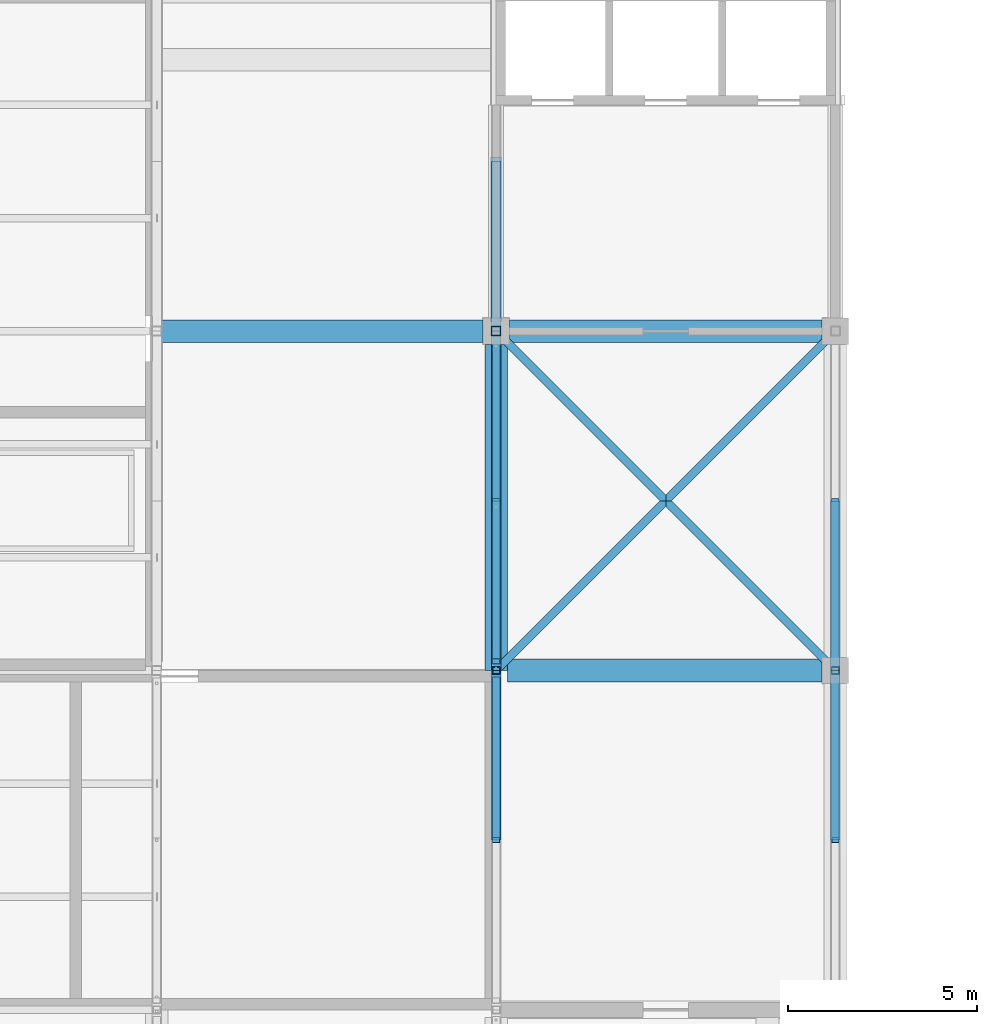
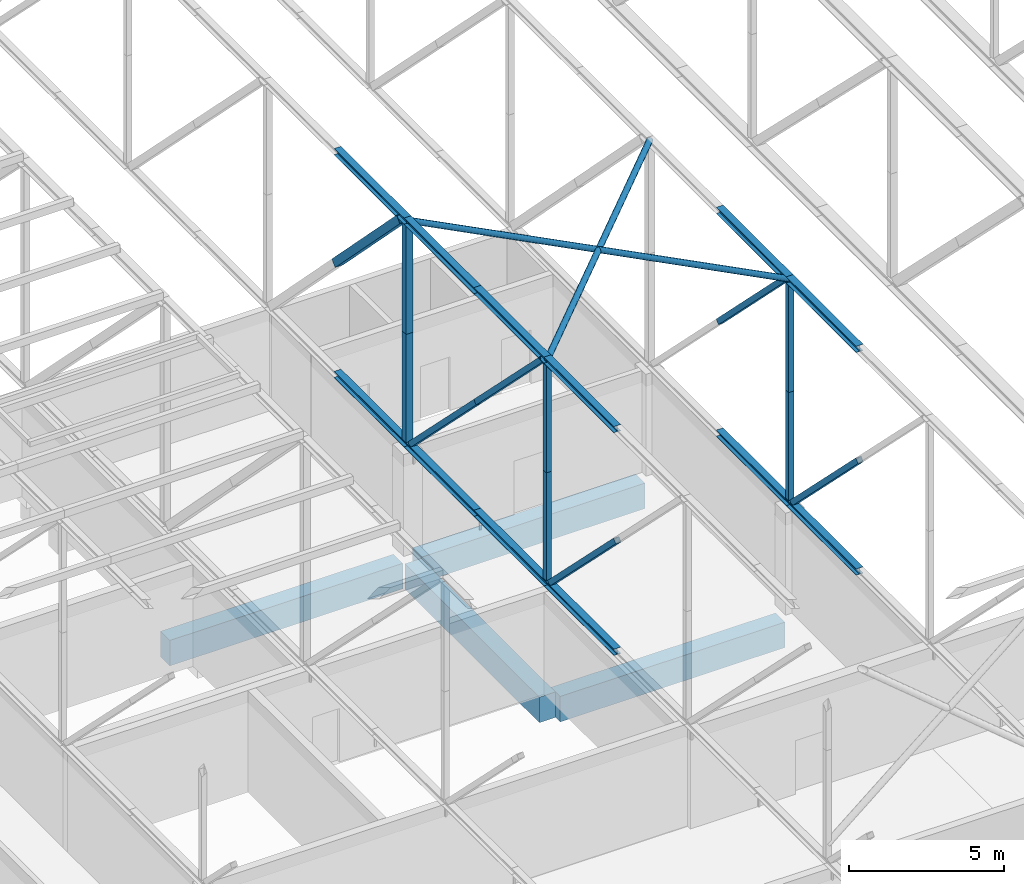
# One storey, part 28 of 646: 28 members, 4 beams.
"""IFC4 building model written with IfcOpenShell, lengths in metres."""

import ifcopenshell
import ifcopenshell.guid

model = None  # the IFC model being written
_history = None  # IfcOwnerHistory: only IFC2X3 demands one
_inside = {}  # id of a spatial element -> (the spatial element, [elements in it])
_under = {}  # id of a project, library or spatial element -> (it, [spatial elements below it])
_declared = {}  # id of a project -> (the project, [libraries it declares])
_typed = {}  # id of a type object -> (the type object, [elements of that type])
_made_of = {}  # id of a material, layer set ... -> (it, [elements and type objects made of it])


def new_model(schema):
    """Start an empty IFC model of exactly this schema.

    Asked for "IFC4X3", IfcOpenShell would pick the latest addendum, in which some entities
    have other attributes; the version numbers below select the first issue.
    IFC2X3 requires an IfcOwnerHistory on every rooted entity: one is made here for all.
    """
    global model, _history
    if schema == "IFC4X3":
        model = ifcopenshell.file(schema_version=(4, 3, 0, 0))
    else:
        model = ifcopenshell.file(schema=schema)
    _inside.clear()
    _under.clear()
    _declared.clear()
    _typed.clear()
    _made_of.clear()
    _history = None
    if model.schema == "IFC2X3":
        org = make("IfcOrganization", Name="unknown")
        user = make(
            "IfcPersonAndOrganization",
            ThePerson=make("IfcPerson", FamilyName="unknown"),
            TheOrganization=org,
        )
        app = make(
            "IfcApplication",
            ApplicationDeveloper=org,
            Version="unknown",
            ApplicationFullName="unknown",
            ApplicationIdentifier="unknown",
        )
        _history = make(
            "IfcOwnerHistory",
            OwningUser=user,
            OwningApplication=app,
            ChangeAction="ADDED",
            CreationDate=0,
        )
    return model


def make(cls, **values):
    """One entity of the class cls with the attributes given. An attribute that is None is left unset."""
    return model.create_entity(
        cls, **{name: value for name, value in values.items() if value is not None}
    )


def rooted(cls, **values):
    """An entity with a GlobalId (a new one), such as an element, a storey or a relation."""
    return make(cls, GlobalId=ifcopenshell.guid.new(), OwnerHistory=_history, **values)


def si_unit(unit_type, name, prefix=None):
    """IfcSIUnit, for example si_unit("LENGTHUNIT", "METRE", prefix="MILLI")."""
    return make("IfcSIUnit", UnitType=unit_type, Prefix=prefix, Name=name)


def assignment(units):
    """IfcUnitAssignment: the units of a project."""
    return None if units is None else make("IfcUnitAssignment", Units=units)


def point(xyz):
    """IfcCartesianPoint."""
    return None if xyz is None else make("IfcCartesianPoint", Coordinates=xyz)


def direction(xyz):
    """IfcDirection."""
    return None if xyz is None else make("IfcDirection", DirectionRatios=xyz)


def frame(location, z_axis=None, x_axis=None):
    """IfcAxis2Placement3D, a coordinate frame: its origin and axes. An axis left out is left unset."""
    return make(
        "IfcAxis2Placement3D",
        Location=point(location),
        Axis=direction(z_axis),
        RefDirection=direction(x_axis),
    )


def frame_2d(location, x_axis=None):
    """IfcAxis2Placement2D, a coordinate frame in the plane: its origin and x axis."""
    return make(
        "IfcAxis2Placement2D", Location=point(location), RefDirection=direction(x_axis)
    )


def origin():
    """The frame at (0, 0, 0) with its axes left unset."""
    return frame((0.0, 0.0, 0.0))


def origin_2d():
    """The frame at (0, 0) in the plane with its x axis left unset."""
    return frame_2d((0.0, 0.0))


def place(relative_to, where):
    """IfcLocalPlacement: puts the frame where relative to a parent placement (None: the world)."""
    return make(
        "IfcLocalPlacement", PlacementRelTo=relative_to, RelativePlacement=where
    )


def context(
    kind, dimensions, precision=None, world=None, true_north=None, identifier=None
):
    """IfcGeometricRepresentationContext, for example the 3D "Model" context."""
    return make(
        "IfcGeometricRepresentationContext",
        ContextIdentifier=identifier,
        ContextType=kind,
        CoordinateSpaceDimension=dimensions,
        Precision=precision,
        WorldCoordinateSystem=world,
        TrueNorth=true_north,
    )


def subcontext(parent, identifier, kind, view, scale=None):
    """IfcGeometricRepresentationSubContext, for example "Body" below "Model"."""
    return make(
        "IfcGeometricRepresentationSubContext",
        ContextIdentifier=identifier,
        ContextType=kind,
        ParentContext=parent,
        TargetScale=scale,
        TargetView=view,
    )


def project(units=None, contexts=None):
    """IfcProject with its units and contexts."""
    return rooted(
        "IfcProject",
        Name="project",
        RepresentationContexts=contexts,
        UnitsInContext=assignment(units),
    )


def spatial(cls, under=None, at=None, **own):
    """A site, building, storey or space (cls), placed at a placement, below another one or the project."""
    s = rooted(cls, ObjectPlacement=at, **own)
    if under is not None:
        _under.setdefault(under.id(), (under, []))[1].append(s)
    return s


def profile(cls, at=None, kind="AREA", **sizes):
    """A parametric profile (cls). Its sizes go by their IFC names, for example OverallWidth=200.0."""
    return make(cls, ProfileType=kind, Position=at, **sizes)


def rectangle(**sizes):
    """IfcRectangleProfileDef."""
    return profile("IfcRectangleProfileDef", **sizes)


def hollow_rectangle(**sizes):
    """IfcRectangleHollowProfileDef."""
    return profile("IfcRectangleHollowProfileDef", **sizes)


def hollow_circle(**sizes):
    """IfcCircleHollowProfileDef."""
    return profile("IfcCircleHollowProfileDef", **sizes)


def i_section(**sizes):
    """IfcIShapeProfileDef."""
    return profile("IfcIShapeProfileDef", **sizes)


def extrude(swept, where, along, depth):
    """IfcExtrudedAreaSolid: the profile swept, set in the frame where, extruded along a direction by depth."""
    return make(
        "IfcExtrudedAreaSolid",
        SweptArea=swept,
        Position=where,
        ExtrudedDirection=direction(along),
        Depth=depth,
    )


def shape(context_of_items, identifier, shape_type, items):
    """IfcShapeRepresentation: the items that make up one representation, for example the "Body"."""
    return make(
        "IfcShapeRepresentation",
        ContextOfItems=context_of_items,
        RepresentationIdentifier=identifier,
        RepresentationType=shape_type,
        Items=items,
    )


def material(Name=None, Category=None):
    """IfcMaterial."""
    return make("IfcMaterial", Name=Name, Category=Category)


def material_profile(
    of_material, cross_section, Name=None, Category=None, Priority=None
):
    """IfcMaterialProfile: a cross section and its material."""
    return make(
        "IfcMaterialProfile",
        Name=Name,
        Material=of_material,
        Profile=cross_section,
        Priority=Priority,
        Category=Category,
    )


def profile_set(profiles, Name=None, composite=None):
    """IfcMaterialProfileSet."""
    return make(
        "IfcMaterialProfileSet",
        Name=Name,
        MaterialProfiles=profiles,
        CompositeProfile=composite,
    )


def made_of(thing, what):
    """Note that an element or type object is made of a material, layer set ...; save() writes the relation."""
    if what is not None:
        _made_of.setdefault(what.id(), (what, []))[1].append(thing)
    return thing


def type_object(cls, material=None, **own):
    """A type object (cls), such as IfcWallType, which elements share."""
    return made_of(rooted(cls, **own), material)


def element(
    cls,
    number,
    at=None,
    inside=None,
    cuts=None,
    type_object=None,
    material=None,
    context=None,
    identifier="Body",
    shape_type=None,
    held_by="IfcProductDefinitionShape",
    body=None,
    shapes=None,
    **own,
):
    """One element of the class cls, such as IfcWall. Its Tag is "e" and its number.

    at: its placement. inside: the storey or other place that contains it. cuts: it is an
    opening in that element (IfcRelVoidsElement). A single representation is given by context,
    identifier, shape_type and body (its items); several are given by shapes. held_by: the class
    of the entity that holds the representations. save() writes the other relations.
    """
    e = rooted(cls, Tag="e%d" % number, ObjectPlacement=at, **own)
    if body is not None:
        shapes = [shape(context, identifier, shape_type, body)]
    if shapes is not None:
        e.Representation = make(held_by, Representations=shapes)
    if inside is not None:
        _inside.setdefault(inside.id(), (inside, []))[1].append(e)
    if cuts is not None:
        rooted(
            "IfcRelVoidsElement", RelatingBuildingElement=cuts, RelatedOpeningElement=e
        )
    if type_object is not None:
        _typed.setdefault(type_object.id(), (type_object, []))[1].append(e)
    return made_of(e, material)


def aggregate(whole, parts):
    """IfcRelAggregates: a whole, such as a stair, and the parts it consists of."""
    return rooted("IfcRelAggregates", RelatingObject=whole, RelatedObjects=parts)


def save(model, path):
    """Write the relations noted so far, then the file.

    IfcRelAggregates (storeys below a building ...), IfcRelContainedInSpatialStructure (elements
    in a storey), IfcRelDefinesByType, IfcRelAssociatesMaterial and IfcRelDeclares: one each for
    every whole, place, type object, material and project.
    """
    for whole, parts in _under.values():
        aggregate(whole, parts)
    for where, things in _inside.values():
        rooted(
            "IfcRelContainedInSpatialStructure",
            RelatedElements=things,
            RelatingStructure=where,
        )
    for kind, things in _typed.values():
        rooted("IfcRelDefinesByType", RelatedObjects=things, RelatingType=kind)
    for what, things in _made_of.values():
        rooted("IfcRelAssociatesMaterial", RelatedObjects=things, RelatingMaterial=what)
    for by, libraries in _declared.values():
        rooted("IfcRelDeclares", RelatingContext=by, RelatedDefinitions=libraries)
    model.write(path)


model = new_model("IFC4")

# Units and contexts
model_context = context("Model", 3, precision=1e-05, world=origin(), true_north=direction((0.0, 1.0)))
body_context = subcontext(model_context, "Body", "Model", "MODEL_VIEW")
ifc_project = project(units=[si_unit("LENGTHUNIT", "METRE"), si_unit("AREAUNIT", "SQUARE_METRE"), si_unit("VOLUMEUNIT", "CUBIC_METRE"), si_unit("PLANEANGLEUNIT", "RADIAN"), si_unit("MASSUNIT", "GRAM", prefix="KILO")], contexts=[model_context])

# Site, building, storey
site_placement = place(None, origin())
site = spatial("IfcSite", under=ifc_project, at=site_placement, CompositionType="ELEMENT")
building_placement = place(site_placement, origin())
building = spatial("IfcBuilding", under=site, at=building_placement, Name="Silverbay Arena", CompositionType="ELEMENT")
storey_placement = place(building_placement, frame((0.0, 0.0, 33.5)))
storey = spatial("IfcBuildingStorey", under=building, at=storey_placement, Name="L05", CompositionType="ELEMENT", Elevation=33.5)

# Members
ifc_material_1 = material(Name="Steel S355", Category="steel")
ifc_material_profile_1 = material_profile(ifc_material_1, i_section(OverallWidth=0.254638671875, OverallDepth=0.254150390625, WebThickness=0.008544921875, FlangeThickness=0.01416015625, at=origin_2d()), Name="UC 254x254x73")
ifc_profile_set_1 = profile_set([ifc_material_profile_1], Name="Steel S355")
member_type_1 = type_object("IfcMemberType", Name="Medium-span bottom chord UC 254x254x73", PredefinedType="CHORD", material=ifc_profile_set_1)
for number, where, z_axis, x_axis, name in (
    (1, (90.0, 40.5, 4.126953125), (0.0, 1.0, 0.0), (-1.0, 0.0, 0.0), "ROOF TRUSS 11 bottom chord 04b"),
    (2, (90.0, 45.0, 4.126953125), (0.0, 1.0, 0.0), (-1.0, 0.0, 0.0), "ROOF TRUSS 11 bottom chord 05a"),
    (3, (90.0, 49.5, 4.126953125), (0.0, 1.0, 0.0), (-1.0, 0.0, 0.0), "ROOF TRUSS 11 bottom chord 05b"),
    (4, (90.0, 54.0, 4.126953125), (0.0, 1.0, 0.0), (-1.0, 0.0, 0.0), "ROOF TRUSS 11 bottom chord 06a"),
    (5, (99.0, 40.5, 4.126953125), (0.0, 1.0, 0.0), (-1.0, 0.0, 0.0), "ROOF TRUSS 12 bottom chord 04b"),
    (6, (99.0, 45.0, 4.126953125), (0.0, 1.0, 0.0), (-1.0, 0.0, 0.0), "ROOF TRUSS 12 bottom chord 05a"),
):
    element("IfcMember", number, at=place(storey_placement, frame(where, z_axis=z_axis, x_axis=x_axis)), inside=storey, type_object=member_type_1, Name=name, PredefinedType="CHORD", context=body_context, shape_type="SweptSolid", body=[
        extrude(i_section(OverallWidth=0.254638671875, OverallDepth=0.254150390625, WebThickness=0.008544921875, FlangeThickness=0.01416015625, at=origin_2d()), origin(), (0.0, 0.0, 1.0), 4.5),
    ])
ifc_material_2 = material(Name="Steel S355", Category="steel")
ifc_material_profile_2 = material_profile(ifc_material_2, i_section(OverallWidth=0.254638671875, OverallDepth=0.254150390625, WebThickness=0.008544921875, FlangeThickness=0.01416015625, at=origin_2d()), Name="UC 254x254x73")
ifc_profile_set_2 = profile_set([ifc_material_profile_2], Name="Steel S355")
member_type_2 = type_object("IfcMemberType", Name="Medium-span top chord UC 254x254x73", PredefinedType="CHORD", material=ifc_profile_set_2)
for number, where, z_axis, x_axis, name in (
    (7, (90.0, 40.5, 12.873046875), (0.0, 1.0, 0.0), (-1.0, 0.0, 0.0), "ROOF TRUSS 11 top chord 04b"),
    (8, (90.0, 45.0, 12.873046875), (0.0, 1.0, 0.0), (-1.0, 0.0, 0.0), "ROOF TRUSS 11 top chord 05a"),
    (9, (90.0, 49.5, 12.873046875), (0.0, 1.0, 0.0), (-1.0, 0.0, 0.0), "ROOF TRUSS 11 top chord 05b"),
    (10, (90.0, 54.0, 12.873046875), (0.0, 1.0, 0.0), (-1.0, 0.0, 0.0), "ROOF TRUSS 11 top chord 06a"),
    (11, (99.0, 40.5, 12.873046875), (0.0, 1.0, 0.0), (-1.0, 0.0, 0.0), "ROOF TRUSS 12 top chord 04b"),
    (12, (99.0, 45.0, 12.873046875), (0.0, 1.0, 0.0), (-1.0, 0.0, 0.0), "ROOF TRUSS 12 top chord 05a"),
):
    element("IfcMember", number, at=place(storey_placement, frame(where, z_axis=z_axis, x_axis=x_axis)), inside=storey, type_object=member_type_2, Name=name, PredefinedType="CHORD", context=body_context, shape_type="SweptSolid", body=[
        extrude(i_section(OverallWidth=0.254638671875, OverallDepth=0.254150390625, WebThickness=0.008544921875, FlangeThickness=0.01416015625, at=origin_2d()), origin(), (0.0, 0.0, 1.0), 4.5),
    ])
ifc_material_3 = material(Name="Steel S355", Category="steel")
ifc_material_profile_3 = material_profile(ifc_material_3, hollow_rectangle(XDim=0.199951171875, YDim=0.199951171875, WallThickness=0.008056640625, at=origin_2d()), Name="SHS 200x200x8")
ifc_profile_set_3 = profile_set([ifc_material_profile_3], Name="Steel S355")
member_type_3 = type_object("IfcMemberType", Name="Medium-span truss diagonal SHS 200x200x8", PredefinedType="BRACE", material=ifc_profile_set_3)
member_1_placement = place(storey_placement, frame((90.0, 40.5, 8.5), z_axis=(0.0, 0.70781724692, -0.706395600894), x_axis=(-1.0, 0.0, 0.0)))
element("IfcMember", 13, at=member_1_placement, inside=storey, type_object=member_type_3, Name="ROOF TRUSS 11 diagonal 04b", PredefinedType="BRACE", context=body_context, shape_type="SweptSolid", body=[
    extrude(hollow_rectangle(XDim=0.199951171875, YDim=0.199951171875, WallThickness=0.008056640625, at=origin_2d()), origin(), (0.0, 0.0, 1.0), 6.010498046875),
])
for number, where, z_axis, x_axis, name in (
    (14, (90.0, 45.24560546875, 12.745849609375), (0.0, 0.706781281828, -0.707432130778), (-1.0, 0.0, 0.0), "ROOF TRUSS 11 diagonal 05a"),
    (15, (90.0, 49.487548828125, 8.5), (0.0, 0.7067609232, -0.707452470091), (-1.0, 0.0, 0.0), "ROOF TRUSS 11 diagonal 05b"),
):
    element("IfcMember", number, at=place(storey_placement, frame(where, z_axis=z_axis, x_axis=x_axis)), inside=storey, type_object=member_type_3, Name=name, PredefinedType="BRACE", context=body_context, shape_type="SweptSolid", body=[
        extrude(hollow_rectangle(XDim=0.199951171875, YDim=0.199951171875, WallThickness=0.008056640625, at=origin_2d()), origin(), (0.0, 0.0, 1.0), 6.001708984375),
    ])
member_2_placement = place(storey_placement, frame((99.0, 40.5, 8.5), z_axis=(0.0, 0.70781724692, -0.706395600894), x_axis=(-1.0, 0.0, 0.0)))
element("IfcMember", 16, at=member_2_placement, inside=storey, type_object=member_type_3, Name="ROOF TRUSS 12 diagonal 04b", PredefinedType="BRACE", context=body_context, shape_type="SweptSolid", body=[
    extrude(hollow_rectangle(XDim=0.199951171875, YDim=0.199951171875, WallThickness=0.008056640625, at=origin_2d()), origin(), (0.0, 0.0, 1.0), 6.010498046875),
])
member_3_placement = place(storey_placement, frame((99.0, 45.24560546875, 12.745849609375), z_axis=(0.0, 0.706781281828, -0.707432130778), x_axis=(-1.0, 0.0, 0.0)))
element("IfcMember", 17, at=member_3_placement, inside=storey, type_object=member_type_3, Name="ROOF TRUSS 12 diagonal 05a", PredefinedType="BRACE", context=body_context, shape_type="SweptSolid", body=[
    extrude(hollow_rectangle(XDim=0.199951171875, YDim=0.199951171875, WallThickness=0.008056640625, at=origin_2d()), origin(), (0.0, 0.0, 1.0), 6.001708984375),
])
ifc_material_4 = material(Name="Steel S355", Category="steel")
ifc_material_profile_4 = material_profile(ifc_material_4, hollow_rectangle(XDim=0.300048828125, YDim=0.300048828125, WallThickness=0.012451171875, at=origin_2d()), Name="SHS 300x300x12.5")
ifc_profile_set_4 = profile_set([ifc_material_profile_4], Name="Steel S355")
member_type_4 = type_object("IfcMemberType", Name="Medium-span truss diagonal SHS 300x300x12.5", PredefinedType="BRACE", material=ifc_profile_set_4)
member_4_placement = place(storey_placement, frame((90.0, 54.343505859375, 12.745849609375), z_axis=(0.0, 0.700196997117, -0.713949693766), x_axis=(-1.0, 0.0, 0.0)))
element("IfcMember", 18, at=member_4_placement, inside=storey, type_object=member_type_4, Name="ROOF TRUSS 11 diagonal 06a", PredefinedType="BRACE", context=body_context, shape_type="SweptSolid", body=[
    extrude(hollow_rectangle(XDim=0.300048828125, YDim=0.300048828125, WallThickness=0.012451171875, at=origin_2d()), origin(), (0.0, 0.0, 1.0), 5.947021484375),
])
ifc_material_5 = material(Name="Steel S355", Category="steel")
ifc_material_profile_5 = material_profile(ifc_material_5, hollow_rectangle(XDim=0.199951171875, YDim=0.199951171875, WallThickness=0.008056640625, at=origin_2d()), Name="SHS 200x200x8")
ifc_profile_set_5 = profile_set([ifc_material_profile_5], Name="Steel S355")
member_type_5 = type_object("IfcMemberType", Name="Medium-span truss vertical SHS 200x200x8", PredefinedType="STRUT", material=ifc_profile_set_5)
for number, where, z_axis, x_axis, name in (
    (19, (90.0, 45.0, 4.254150390625), (0.0, 0.0, 1.0), (1.0, 0.0, 0.0), "ROOF TRUSS 11 vertical 05a"),
    (20, (90.0, 45.0, 8.5), (0.0, 0.0, 1.0), (1.0, 0.0, 0.0), "ROOF TRUSS 11 vertical 05b"),
    (21, (99.0, 45.0, 4.254150390625), (0.0, 0.0, 1.0), (1.0, 0.0, 0.0), "ROOF TRUSS 12 vertical 05a"),
    (22, (99.0, 45.0, 8.5), (0.0, 0.0, 1.0), (1.0, 0.0, 0.0), "ROOF TRUSS 12 vertical 05b"),
):
    element("IfcMember", number, at=place(storey_placement, frame(where, z_axis=z_axis, x_axis=x_axis)), inside=storey, type_object=member_type_5, Name=name, PredefinedType="STRUT", context=body_context, shape_type="SweptSolid", body=[
        extrude(hollow_rectangle(XDim=0.199951171875, YDim=0.199951171875, WallThickness=0.008056640625, at=origin_2d()), origin(), (0.0, 0.0, 1.0), 4.245849609375),
    ])
ifc_material_6 = material(Name="Steel S355", Category="steel")
ifc_material_profile_6 = material_profile(ifc_material_6, hollow_rectangle(XDim=0.25, YDim=0.25, WallThickness=0.010009765625, at=origin_2d()), Name="SHS 250x250x10")
ifc_profile_set_6 = profile_set([ifc_material_profile_6], Name="Steel S355")
member_type_6 = type_object("IfcMemberType", Name="Medium-span truss vertical SHS 250x250x10", PredefinedType="STRUT", material=ifc_profile_set_6)
for number, where, z_axis, x_axis, name in (
    (23, (90.0, 54.0, 4.254150390625), (0.0, 0.0, 1.0), (1.0, 0.0, 0.0), "ROOF TRUSS 11 vertical 06a"),
    (24, (90.0, 54.0, 8.5), (0.0, 0.0, 1.0), (1.0, 0.0, 0.0), "ROOF TRUSS 11 vertical 06b"),
):
    element("IfcMember", number, at=place(storey_placement, frame(where, z_axis=z_axis, x_axis=x_axis)), inside=storey, type_object=member_type_6, Name=name, PredefinedType="STRUT", context=body_context, shape_type="SweptSolid", body=[
        extrude(hollow_rectangle(XDim=0.25, YDim=0.25, WallThickness=0.010009765625, at=origin_2d()), origin(), (0.0, 0.0, 1.0), 4.245849609375),
    ])
ifc_material_7 = material(Name="Steel S355", Category="steel")
ifc_material_profile_7 = material_profile(ifc_material_7, hollow_circle(Radius=0.109619140625, WallThickness=0.00634765625, at=origin_2d()), Name="CHS 219.1x6.3")
ifc_profile_set_7 = profile_set([ifc_material_profile_7], Name="Steel S355")
member_type_7 = type_object("IfcMemberType", Name="Plan bracing CHS 219.1x6.3", PredefinedType="BRACE", material=ifc_profile_set_7)
for number, where, z_axis, x_axis, name in (
    (25, (90.0, 45.0, 12.873046875), (0.707106781187, 0.707106781187, 0.0), (-0.707106781187, 0.707106781187, 0.0), "ROOF BRACING top 11-12 panel 05 Aa"),
    (26, (94.5, 49.5, 12.873046875), (0.707106781187, 0.707106781187, 0.0), (-0.707106781187, 0.707106781187, 0.0), "ROOF BRACING top 11-12 panel 05 Ab"),
    (27, (90.0, 54.0, 12.873046875), (0.707106781187, -0.707106781187, 0.0), (0.707106781187, 0.707106781187, 0.0), "ROOF BRACING top 11-12 panel 05 Ba"),
    (28, (94.5, 49.5, 12.873046875), (0.707106781187, -0.707106781187, 0.0), (0.707106781187, 0.707106781187, 0.0), "ROOF BRACING top 11-12 panel 05 Bb"),
):
    element("IfcMember", number, at=place(storey_placement, frame(where, z_axis=z_axis, x_axis=x_axis)), inside=storey, type_object=member_type_7, Name=name, PredefinedType="BRACE", context=body_context, shape_type="SweptSolid", body=[
        extrude(hollow_circle(Radius=0.109619140625, WallThickness=0.00634765625, at=origin_2d()), origin(), (0.0, 0.0, 1.0), 6.364013671875),
    ])

# Beams
ifc_material_8 = material(Name="Concrete Grade C45", Category="concrete")
ifc_material_profile_8 = material_profile(ifc_material_8, rectangle(XDim=0.60009765625, YDim=1.0, at=origin_2d()), Name="RC 600x1000")
ifc_profile_set_8 = profile_set([ifc_material_profile_8], Name="Concrete Grade C45")
beam_type = type_object("IfcBeamType", Name="RC beam 600x1000", PredefinedType="BEAM", material=ifc_profile_set_8)
beam_1_placement = place(storey_placement, frame((90.300048828125, 45.0, -0.800048828125), z_axis=(1.0, 0.0, 0.0), x_axis=(0.0, 1.0, 0.0)))
element("IfcBeam", 29, at=beam_1_placement, inside=storey, type_object=beam_type, Name="Floor beam L05 016", PredefinedType="BEAM", context=body_context, shape_type="SweptSolid", body=[
    extrude(rectangle(XDim=0.60009765625, YDim=1.0, at=origin_2d()), origin(), (0.0, 0.0, 1.0), 8.349853515625),
])
beam_2_placement = place(storey_placement, frame((81.0, 54.0, -0.800048828125), z_axis=(1.0, 0.0, 0.0), x_axis=(0.0, 1.0, 0.0)))
element("IfcBeam", 30, at=beam_2_placement, inside=storey, type_object=beam_type, Name="Floor beam L05 020", PredefinedType="BEAM", context=body_context, shape_type="SweptSolid", body=[
    extrude(rectangle(XDim=0.60009765625, YDim=1.0, at=origin_2d()), origin(), (0.0, 0.0, 1.0), 8.64990234375),
])
beam_3_placement = place(storey_placement, frame((90.35009765625, 54.0, -0.800048828125), z_axis=(1.0, 0.0, 0.0), x_axis=(0.0, 1.0, 0.0)))
element("IfcBeam", 31, at=beam_3_placement, inside=storey, type_object=beam_type, Name="Floor beam L05 021", PredefinedType="BEAM", context=body_context, shape_type="SweptSolid", body=[
    extrude(rectangle(XDim=0.60009765625, YDim=1.0, at=origin_2d()), origin(), (0.0, 0.0, 1.0), 8.2998046875),
])
beam_4_placement = place(storey_placement, frame((90.0, 45.0, -0.800048828125), z_axis=(0.0, 1.0, 0.0), x_axis=(-1.0, 0.0, 0.0)))
element("IfcBeam", 32, at=beam_4_placement, inside=storey, type_object=beam_type, Name="Floor beam L05 090", PredefinedType="BEAM", context=body_context, shape_type="SweptSolid", body=[
    extrude(rectangle(XDim=0.60009765625, YDim=1.0, at=origin_2d()), origin(), (0.0, 0.0, 1.0), 8.64990234375),
])

save(model, "model.ifc")
